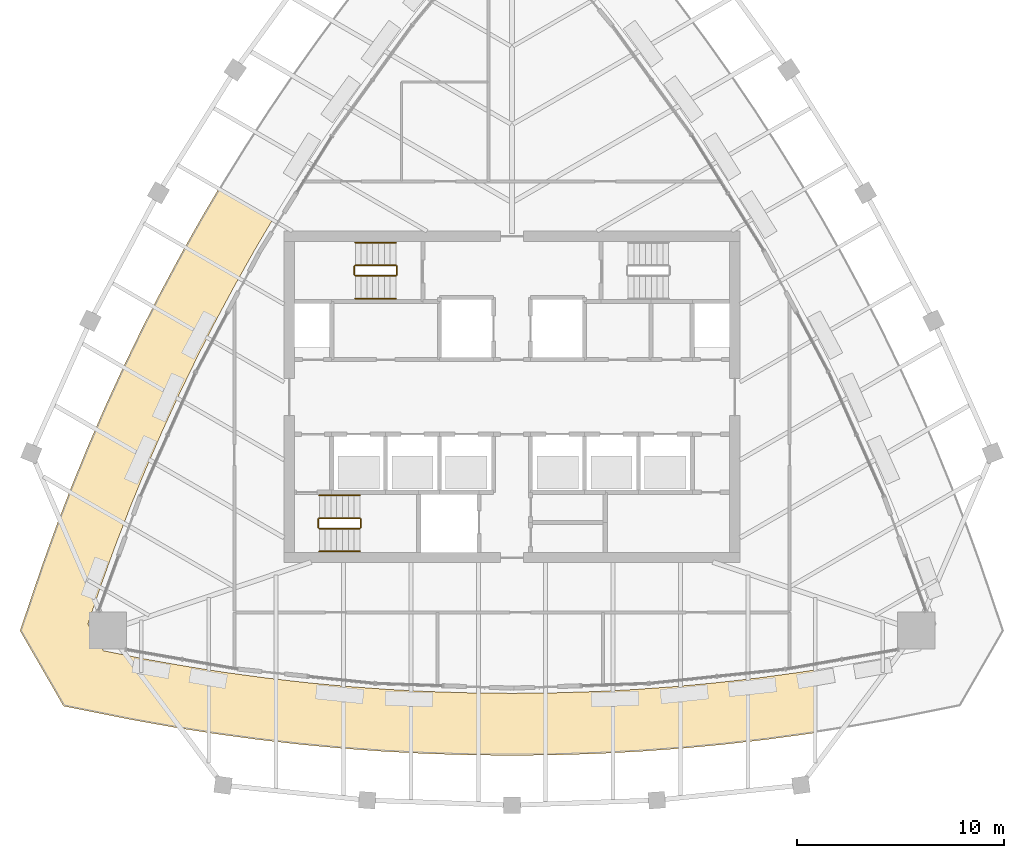
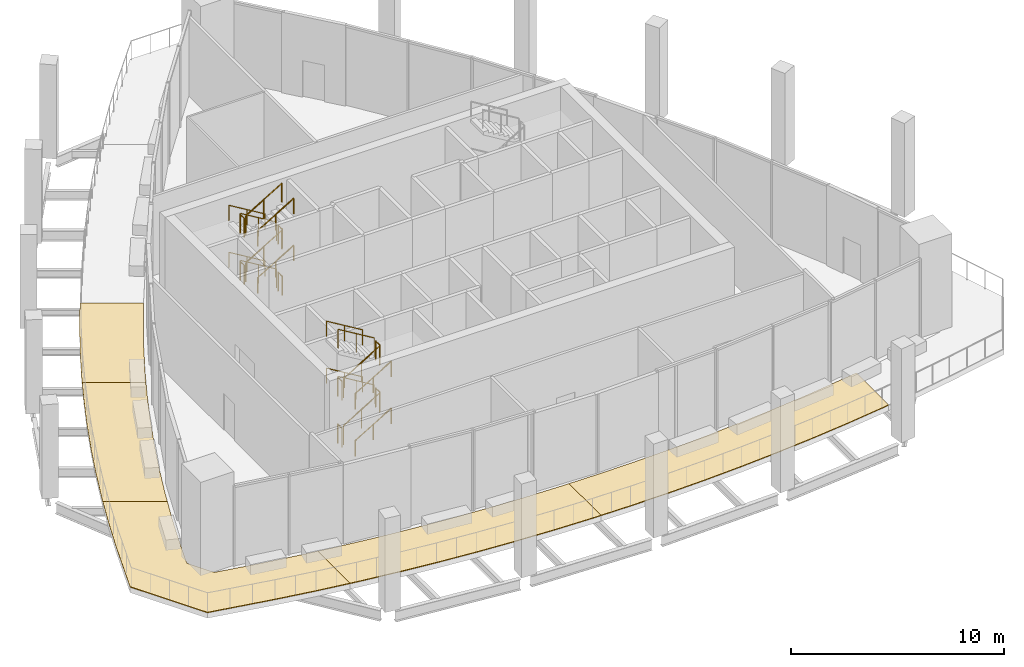
# One storey, part 11 of 14: 24 railings, 5 coverings.
"""IFC4 building model written with IfcOpenShell, lengths in metres."""

from ifc_helpers import new_model, si_unit, direction, frame, origin, origin_2d, place, context, subcontext, project, spatial, polyline, circle, outline, extrude, material, layer, layer_set, type_object, element, save


model = new_model("IFC4")

# Units and contexts
model_context = context("Model", 3, precision=1e-05, world=origin(), true_north=direction((0.0, 1.0)))
body_context = subcontext(model_context, "Body", "Model", "MODEL_VIEW")
ifc_project = project(units=[si_unit("LENGTHUNIT", "METRE"), si_unit("AREAUNIT", "SQUARE_METRE"), si_unit("VOLUMEUNIT", "CUBIC_METRE"), si_unit("PLANEANGLEUNIT", "RADIAN"), si_unit("MASSUNIT", "GRAM", prefix="KILO")], contexts=[model_context])

# Site, building, storey
site_placement = place(None, origin())
site = spatial("IfcSite", under=ifc_project, at=site_placement, CompositionType="ELEMENT")
building_placement = place(site_placement, origin())
building = spatial("IfcBuilding", under=site, at=building_placement, Name="Sierra Prisma Convention Tower", CompositionType="ELEMENT")
storey_placement = place(building_placement, frame((0.0, 0.0, 339.39990234375)))
storey = spatial("IfcBuildingStorey", under=building, at=storey_placement, Name="L76", CompositionType="ELEMENT", Elevation=339.39990234375)

# Coverings
ifc_material_1 = material(Name="Porcelain stoneware paving", Category="masonry")
ifc_layer = layer(ifc_material_1, 0.0400390625)
ifc_layer_set = layer_set([ifc_layer], Name="Deck paving")
covering_type = type_object("IfcCoveringType", Name="Deck paving", PredefinedType="FLOORING", material=ifc_layer_set)
covering_1_placement = place(storey_placement, origin())
element("IfcCovering", 1, at=covering_1_placement, inside=storey, type_object=covering_type, Name="Deck paving L76", PredefinedType="FLOORING", context=body_context, shape_type="SweptSolid", body=[
    extrude(outline(polyline([(-20.44970703125, -2.349365234375), (-20.0986328125, -1.5400390625), (-19.63427734375, -0.47021484375), (-18.7802734375, 1.391845703125), (-18.756591796875, 1.4404296875), (-17.887451171875, 3.235595703125), (-17.312744140625, 4.3623046875), (-14.711181640625, 2.8603515625), (-15.200927734375, 1.900146484375), (-16.06640625, 0.112548828125), (-16.14794921875, -0.0654296875), (-16.894775390625, -1.69287109375), (-17.4833984375, -3.0498046875), (-17.685302734375, -3.514892578125), (-18.437744140625, -5.35302734375), (-18.721923828125, -6.09033203125), (-21.351806640625, -4.57177734375), (-21.225830078125, -4.2451171875), (-20.44970703125, -2.349365234375)])), origin(), (0.0, 0.0, 1.0), 0.0400390625),
])
covering_2_placement = place(storey_placement, origin())
element("IfcCovering", 2, at=covering_2_placement, inside=storey, type_object=covering_type, Name="Deck paving L76", PredefinedType="FLOORING", context=body_context, shape_type="SweptSolid", body=[
    extrude(outline(polyline([(-22.659423828125, -8.0830078125), (-21.962646484375, -6.15673828125), (-21.351806640625, -4.57177734375), (-18.721923828125, -6.09033203125), (-19.152099609375, -7.206298828125), (-19.82763671875, -9.07421875), (-19.865234375, -9.185546875), (-20.46435546875, -10.95556640625), (-19.719970703125, -12.244873046875), (-17.8876953125, -12.611083984375), (-17.772216796875, -12.634033203125), (-15.81689453125, -12.98291015625), (-14.63525390625, -13.16845703125), (-14.63525390625, -16.205322265625), (-16.313232421875, -15.94189453125), (-18.329833984375, -15.58203125), (-21.63916015625, -14.92041015625), (-23.7412109375, -11.27978515625), (-22.659423828125, -8.0830078125)])), origin(), (0.0, 0.0, 1.0), 0.0400390625),
])
covering_3_placement = place(storey_placement, origin())
element("IfcCovering", 3, at=covering_3_placement, inside=storey, type_object=covering_type, Name="Deck paving L76", PredefinedType="FLOORING", context=body_context, shape_type="SweptSolid", body=[
    extrude(outline(polyline([(-4.095947265625, -17.215087890625), (-4.87841796875, -17.17431640625), (-6.1416015625, -17.108642578125), (-8.130615234375, -16.9638671875), (-8.184814453125, -16.9599609375), (-10.224365234375, -16.768798828125), (-11.383056640625, -16.635986328125), (-12.259521484375, -16.535400390625), (-14.289306640625, -16.259521484375), (-14.63525390625, -16.205322265625), (-14.63525390625, -13.16845703125), (-13.854736328125, -13.291015625), (-11.88671875, -13.558349609375), (-11.383056640625, -13.6162109375), (-9.913330078125, -13.784912109375), (-8.130615234375, -13.951904296875), (-7.935791015625, -13.97021484375), (-5.954833984375, -14.114501953125), (-4.87841796875, -14.17041015625), (-3.971435546875, -14.217529296875), (-1.986083984375, -14.279296875), (-1.626220703125, -14.283203125), (-1.626220703125, -17.283203125), (-2.04833984375, -17.27880859375), (-4.095947265625, -17.215087890625)])), origin(), (0.0, 0.0, 1.0), 0.0400390625),
])
covering_4_placement = place(storey_placement, origin())
element("IfcCovering", 4, at=covering_4_placement, inside=storey, type_object=covering_type, Name="Deck paving L76", PredefinedType="FLOORING", context=body_context, shape_type="SweptSolid", body=[
    extrude(outline(polyline([(-1.626220703125, -17.283203125), (-1.626220703125, -14.283203125), (0.0, -14.300048828125), (1.626220703125, -14.283203125), (1.986083984375, -14.279296875), (3.971435546875, -14.217529296875), (4.87841796875, -14.17041015625), (5.954833984375, -14.114501953125), (7.935791015625, -13.97021484375), (8.130615234375, -13.951904296875), (9.913330078125, -13.784912109375), (11.383056640625, -13.6162109375), (11.88671875, -13.558349609375), (13.854736328125, -13.291015625), (14.63525390625, -13.16845703125), (14.63525390625, -16.205322265625), (14.289306640625, -16.259521484375), (12.259521484375, -16.535400390625), (11.383056640625, -16.635986328125), (10.224365234375, -16.768798828125), (8.184814453125, -16.9599609375), (8.130615234375, -16.9638671875), (6.1416015625, -17.108642578125), (4.87841796875, -17.17431640625), (4.095947265625, -17.215087890625), (2.04833984375, -17.27880859375), (1.626220703125, -17.283203125), (0.0, -17.300048828125), (-1.626220703125, -17.283203125)])), origin(), (0.0, 0.0, 1.0), 0.0400390625),
])
covering_5_placement = place(storey_placement, origin())
element("IfcCovering", 5, at=covering_5_placement, inside=storey, type_object=covering_type, Name="Deck paving L76", PredefinedType="FLOORING", context=body_context, shape_type="SweptSolid", body=[
    extrude(outline(polyline([(-16.95654296875, 5.060302734375), (-15.98828125, 6.865478515625), (-15.78076171875, 7.2333984375), (-14.982421875, 8.650146484375), (-14.15478515625, 10.0498046875), (-11.556396484375, 8.5498046875), (-12.38427734375, 7.14990234375), (-13.1826171875, 5.733154296875), (-13.359375, 5.419677734375), (-14.29833984375, 3.66943359375), (-14.711181640625, 2.8603515625), (-17.312744140625, 4.3623046875), (-16.95654296875, 5.060302734375)])), origin(), (0.0, 0.0, 1.0), 0.0400390625),
])

# Railings
ifc_material_2 = material(Name="Stainless steel", Category="steel")
railing_type_1 = type_object("IfcRailingType", Name="Exit stair handrail", PredefinedType="HANDRAIL", material=ifc_material_2)
railing_1_placement = place(storey_placement, frame((-9.300048828125, -7.449951171875, 0.1689453125)))
element("IfcRailing", 6, at=railing_1_placement, inside=storey, type_object=railing_type_1, Name="L76 S1 stair handrail 1", PredefinedType="HANDRAIL", context=body_context, shape_type="SweptSolid", body=[
    extrude(circle(Radius=0.02392578125, at=origin_2d()), frame((0.0, 0.0, 0.8759765625), z_axis=(0.856493463811, 0.0, 0.516157869696), x_axis=(0.0, 1.0, 0.0)), (0.0, 0.0, 1.0), 2.288330078125),
    extrude(circle(Radius=0.02099609375, at=origin_2d()), origin(), (0.0, 0.0, 1.0), 0.851806640625),
    extrude(circle(Radius=0.02099609375, at=origin_2d()), frame((0.97998046875, 0.0, 0.590576171875)), (0.0, 0.0, 1.0), 0.851806640625),
    extrude(circle(Radius=0.02099609375, at=origin_2d()), frame((1.9599609375, 0.0, 1.18115234375)), (0.0, 0.0, 1.0), 0.851806640625),
])
railing_2_placement = place(storey_placement, frame((-7.340087890625, -4.75, 1.518798828125)))
element("IfcRailing", 7, at=railing_2_placement, inside=storey, type_object=railing_type_1, Name="L76 S1 stair handrail 2", PredefinedType="HANDRAIL", context=body_context, shape_type="SweptSolid", body=[
    extrude(circle(Radius=0.02392578125, at=origin_2d()), frame((0.0, 0.0, 0.8759765625), z_axis=(-0.856446297458, 0.0, 0.516236127728), x_axis=(0.0, -1.0, 0.0)), (0.0, 0.0, 1.0), 2.28857421875),
    extrude(circle(Radius=0.02099609375, at=origin_2d()), origin(), (0.0, 0.0, 1.0), 0.851806640625),
    extrude(circle(Radius=0.02099609375, at=origin_2d()), frame((-0.97998046875, 0.0, 0.5908203125)), (0.0, 0.0, 1.0), 0.851806640625),
    extrude(circle(Radius=0.02099609375, at=origin_2d()), frame((-1.9599609375, 0.0, 1.181396484375)), (0.0, 0.0, 1.0), 0.851806640625),
])
railing_3_placement = place(storey_placement, frame((-9.300048828125, -7.449951171875, 2.868896484375)))
element("IfcRailing", 8, at=railing_3_placement, inside=storey, type_object=railing_type_1, Name="L76 S1 stair handrail 3", PredefinedType="HANDRAIL", context=body_context, shape_type="SweptSolid", body=[
    extrude(circle(Radius=0.02392578125, at=origin_2d()), frame((0.0, 0.0, 0.8759765625), z_axis=(0.856493463811, 0.0, 0.516157869696), x_axis=(0.0, 1.0, 0.0)), (0.0, 0.0, 1.0), 2.288330078125),
    extrude(circle(Radius=0.02099609375, at=origin_2d()), origin(), (0.0, 0.0, 1.0), 0.851806640625),
    extrude(circle(Radius=0.02099609375, at=origin_2d()), frame((0.97998046875, 0.0, 0.590576171875)), (0.0, 0.0, 1.0), 0.851806640625),
    extrude(circle(Radius=0.02099609375, at=origin_2d()), frame((1.9599609375, 0.0, 1.18115234375)), (0.0, 0.0, 1.0), 0.851806640625),
])
railing_4_placement = place(storey_placement, frame((-7.340087890625, -4.75, 4.21875)))
element("IfcRailing", 9, at=railing_4_placement, inside=storey, type_object=railing_type_1, Name="L76 S1 stair handrail 4", PredefinedType="HANDRAIL", context=body_context, shape_type="SweptSolid", body=[
    extrude(circle(Radius=0.02392578125, at=origin_2d()), frame((0.0, 0.0, 0.8759765625), z_axis=(-0.856446297458, 0.0, 0.516236127728), x_axis=(0.0, -1.0, 0.0)), (0.0, 0.0, 1.0), 2.28857421875),
    extrude(circle(Radius=0.02099609375, at=origin_2d()), origin(), (0.0, 0.0, 1.0), 0.851806640625),
    extrude(circle(Radius=0.02099609375, at=origin_2d()), frame((-0.97998046875, 0.0, 0.5908203125)), (0.0, 0.0, 1.0), 0.851806640625),
    extrude(circle(Radius=0.02099609375, at=origin_2d()), frame((-1.9599609375, 0.0, 1.181396484375)), (0.0, 0.0, 1.0), 0.851806640625),
])
railing_5_placement = place(storey_placement, frame((-5.60009765625, 7.449951171875, 0.1689453125)))
element("IfcRailing", 10, at=railing_5_placement, inside=storey, type_object=railing_type_1, Name="L76 S3 stair handrail 1", PredefinedType="HANDRAIL", context=body_context, shape_type="SweptSolid", body=[
    extrude(circle(Radius=0.02392578125, at=origin_2d()), frame((0.0, 0.0, 0.8759765625), z_axis=(-0.856493463811, 0.0, 0.516157869696), x_axis=(0.0, -1.0, 0.0)), (0.0, 0.0, 1.0), 2.288330078125),
    extrude(circle(Radius=0.02099609375, at=origin_2d()), origin(), (0.0, 0.0, 1.0), 0.851806640625),
    extrude(circle(Radius=0.02099609375, at=origin_2d()), frame((-0.97998046875, 0.0, 0.590576171875)), (0.0, 0.0, 1.0), 0.851806640625),
    extrude(circle(Radius=0.02099609375, at=origin_2d()), frame((-1.9599609375, 0.0, 1.18115234375)), (0.0, 0.0, 1.0), 0.851806640625),
])
railing_6_placement = place(storey_placement, frame((-7.56005859375, 4.75, 1.518798828125)))
element("IfcRailing", 11, at=railing_6_placement, inside=storey, type_object=railing_type_1, Name="L76 S3 stair handrail 2", PredefinedType="HANDRAIL", context=body_context, shape_type="SweptSolid", body=[
    extrude(circle(Radius=0.02392578125, at=origin_2d()), frame((0.0, 0.0, 0.8759765625), z_axis=(0.856446297458, 0.0, 0.516236127728), x_axis=(0.0, 1.0, 0.0)), (0.0, 0.0, 1.0), 2.28857421875),
    extrude(circle(Radius=0.02099609375, at=origin_2d()), origin(), (0.0, 0.0, 1.0), 0.851806640625),
    extrude(circle(Radius=0.02099609375, at=origin_2d()), frame((0.97998046875, 0.0, 0.5908203125)), (0.0, 0.0, 1.0), 0.851806640625),
    extrude(circle(Radius=0.02099609375, at=origin_2d()), frame((1.9599609375, 0.0, 1.181396484375)), (0.0, 0.0, 1.0), 0.851806640625),
])
railing_7_placement = place(storey_placement, frame((-5.60009765625, 7.449951171875, 2.868896484375)))
element("IfcRailing", 12, at=railing_7_placement, inside=storey, type_object=railing_type_1, Name="L76 S3 stair handrail 3", PredefinedType="HANDRAIL", context=body_context, shape_type="SweptSolid", body=[
    extrude(circle(Radius=0.02392578125, at=origin_2d()), frame((0.0, 0.0, 0.8759765625), z_axis=(-0.856493463811, 0.0, 0.516157869696), x_axis=(0.0, -1.0, 0.0)), (0.0, 0.0, 1.0), 2.288330078125),
    extrude(circle(Radius=0.02099609375, at=origin_2d()), origin(), (0.0, 0.0, 1.0), 0.851806640625),
    extrude(circle(Radius=0.02099609375, at=origin_2d()), frame((-0.97998046875, 0.0, 0.590576171875)), (0.0, 0.0, 1.0), 0.851806640625),
    extrude(circle(Radius=0.02099609375, at=origin_2d()), frame((-1.9599609375, 0.0, 1.18115234375)), (0.0, 0.0, 1.0), 0.851806640625),
])
railing_8_placement = place(storey_placement, frame((-7.56005859375, 4.75, 4.21875)))
element("IfcRailing", 13, at=railing_8_placement, inside=storey, type_object=railing_type_1, Name="L76 S3 stair handrail 4", PredefinedType="HANDRAIL", context=body_context, shape_type="SweptSolid", body=[
    extrude(circle(Radius=0.02392578125, at=origin_2d()), frame((0.0, 0.0, 0.8759765625), z_axis=(0.856446297458, 0.0, 0.516236127728), x_axis=(0.0, 1.0, 0.0)), (0.0, 0.0, 1.0), 2.28857421875),
    extrude(circle(Radius=0.02099609375, at=origin_2d()), origin(), (0.0, 0.0, 1.0), 0.851806640625),
    extrude(circle(Radius=0.02099609375, at=origin_2d()), frame((0.97998046875, 0.0, 0.5908203125)), (0.0, 0.0, 1.0), 0.851806640625),
    extrude(circle(Radius=0.02099609375, at=origin_2d()), frame((1.9599609375, 0.0, 1.181396484375)), (0.0, 0.0, 1.0), 0.851806640625),
])
ifc_material_3 = material(Name="Stainless steel", Category="steel")
railing_type_2 = type_object("IfcRailingType", Name="Stair guard 1100", PredefinedType="GUARDRAIL", material=ifc_material_3)
railing_9_placement = place(storey_placement, frame((-9.300048828125, -6.35009765625, 0.1689453125)))
element("IfcRailing", 14, at=railing_9_placement, inside=storey, type_object=railing_type_2, Name="L76 S1 stair guard 1", PredefinedType="GUARDRAIL", context=body_context, shape_type="SweptSolid", body=[
    extrude(circle(Radius=0.02392578125, at=origin_2d()), frame((0.0, 0.0, 1.076171875), z_axis=(0.856493463811, 0.0, 0.516157869696), x_axis=(0.0, 1.0, 0.0)), (0.0, 0.0, 1.0), 2.288330078125),
    extrude(circle(Radius=0.02099609375, at=origin_2d()), origin(), (0.0, 0.0, 1.0), 1.052001953125),
    extrude(circle(Radius=0.02099609375, at=origin_2d()), frame((0.97998046875, 0.0, 0.590576171875)), (0.0, 0.0, 1.0), 1.052001953125),
    extrude(circle(Radius=0.02099609375, at=origin_2d()), frame((1.9599609375, 0.0, 1.18115234375)), (0.0, 0.0, 1.0), 1.052001953125),
])
railing_10_placement = place(storey_placement, frame((-7.2900390625, -6.300048828125, 1.35009765625)))
element("IfcRailing", 15, at=railing_10_placement, inside=storey, type_object=railing_type_2, Name="L76 S1 stair guard 2", PredefinedType="GUARDRAIL", context=body_context, shape_type="SweptSolid", body=[
    extrude(circle(Radius=0.02392578125, at=origin_2d()), frame((0.0, 0.0, 1.076171875), z_axis=(0.0, 1.0, 0.0), x_axis=(-1.0, 0.0, 0.0)), (0.0, 0.0, 1.0), 0.400146484375),
    extrude(circle(Radius=0.02099609375, at=origin_2d()), origin(), (0.0, 0.0, 1.0), 1.052001953125),
    extrude(circle(Radius=0.02099609375, at=origin_2d()), frame((0.0, 0.400146484375, 0.0)), (0.0, 0.0, 1.0), 1.052001953125),
])
railing_11_placement = place(storey_placement, frame((-7.340087890625, -5.85009765625, 1.518798828125)))
element("IfcRailing", 16, at=railing_11_placement, inside=storey, type_object=railing_type_2, Name="L76 S1 stair guard 3", PredefinedType="GUARDRAIL", context=body_context, shape_type="SweptSolid", body=[
    extrude(circle(Radius=0.02392578125, at=origin_2d()), frame((0.0, 0.0, 1.076171875), z_axis=(-0.856446297458, 0.0, 0.516236127728), x_axis=(0.0, -1.0, 0.0)), (0.0, 0.0, 1.0), 2.28857421875),
    extrude(circle(Radius=0.02099609375, at=origin_2d()), origin(), (0.0, 0.0, 1.0), 1.052001953125),
    extrude(circle(Radius=0.02099609375, at=origin_2d()), frame((-0.97998046875, 0.0, 0.5908203125)), (0.0, 0.0, 1.0), 1.052001953125),
    extrude(circle(Radius=0.02099609375, at=origin_2d()), frame((-1.9599609375, 0.0, 1.181396484375)), (0.0, 0.0, 1.0), 1.052001953125),
])
railing_12_placement = place(storey_placement, frame((-9.35009765625, -6.300048828125, 2.7001953125)))
element("IfcRailing", 17, at=railing_12_placement, inside=storey, type_object=railing_type_2, Name="L76 S1 stair guard 4", PredefinedType="GUARDRAIL", context=body_context, shape_type="SweptSolid", body=[
    extrude(circle(Radius=0.02392578125, at=origin_2d()), frame((0.0, 0.0, 1.076171875), z_axis=(0.0, 1.0, 0.0), x_axis=(-1.0, 0.0, 0.0)), (0.0, 0.0, 1.0), 0.400146484375),
    extrude(circle(Radius=0.02099609375, at=origin_2d()), origin(), (0.0, 0.0, 1.0), 1.052001953125),
    extrude(circle(Radius=0.02099609375, at=origin_2d()), frame((0.0, 0.400146484375, 0.0)), (0.0, 0.0, 1.0), 1.052001953125),
])
railing_13_placement = place(storey_placement, frame((-9.300048828125, -6.35009765625, 2.868896484375)))
element("IfcRailing", 18, at=railing_13_placement, inside=storey, type_object=railing_type_2, Name="L76 S1 stair guard 5", PredefinedType="GUARDRAIL", context=body_context, shape_type="SweptSolid", body=[
    extrude(circle(Radius=0.02392578125, at=origin_2d()), frame((0.0, 0.0, 1.076171875), z_axis=(0.856493463811, 0.0, 0.516157869696), x_axis=(0.0, 1.0, 0.0)), (0.0, 0.0, 1.0), 2.288330078125),
    extrude(circle(Radius=0.02099609375, at=origin_2d()), origin(), (0.0, 0.0, 1.0), 1.052001953125),
    extrude(circle(Radius=0.02099609375, at=origin_2d()), frame((0.97998046875, 0.0, 0.590576171875)), (0.0, 0.0, 1.0), 1.052001953125),
    extrude(circle(Radius=0.02099609375, at=origin_2d()), frame((1.9599609375, 0.0, 1.18115234375)), (0.0, 0.0, 1.0), 1.052001953125),
])
railing_14_placement = place(storey_placement, frame((-7.2900390625, -6.300048828125, 4.050048828125)))
element("IfcRailing", 19, at=railing_14_placement, inside=storey, type_object=railing_type_2, Name="L76 S1 stair guard 6", PredefinedType="GUARDRAIL", context=body_context, shape_type="SweptSolid", body=[
    extrude(circle(Radius=0.02392578125, at=origin_2d()), frame((0.0, 0.0, 1.076171875), z_axis=(0.0, 1.0, 0.0), x_axis=(-1.0, 0.0, 0.0)), (0.0, 0.0, 1.0), 0.400146484375),
    extrude(circle(Radius=0.02099609375, at=origin_2d()), origin(), (0.0, 0.0, 1.0), 1.052001953125),
    extrude(circle(Radius=0.02099609375, at=origin_2d()), frame((0.0, 0.400146484375, 0.0)), (0.0, 0.0, 1.0), 1.052001953125),
])
railing_15_placement = place(storey_placement, frame((-7.340087890625, -5.85009765625, 4.21875)))
element("IfcRailing", 20, at=railing_15_placement, inside=storey, type_object=railing_type_2, Name="L76 S1 stair guard 7", PredefinedType="GUARDRAIL", context=body_context, shape_type="SweptSolid", body=[
    extrude(circle(Radius=0.02392578125, at=origin_2d()), frame((0.0, 0.0, 1.076171875), z_axis=(-0.856446297458, 0.0, 0.516236127728), x_axis=(0.0, -1.0, 0.0)), (0.0, 0.0, 1.0), 2.28857421875),
    extrude(circle(Radius=0.02099609375, at=origin_2d()), origin(), (0.0, 0.0, 1.0), 1.052001953125),
    extrude(circle(Radius=0.02099609375, at=origin_2d()), frame((-0.97998046875, 0.0, 0.5908203125)), (0.0, 0.0, 1.0), 1.052001953125),
    extrude(circle(Radius=0.02099609375, at=origin_2d()), frame((-1.9599609375, 0.0, 1.181396484375)), (0.0, 0.0, 1.0), 1.052001953125),
])
railing_16_placement = place(storey_placement, frame((-9.35009765625, -6.300048828125, 0.0)))
element("IfcRailing", 21, at=railing_16_placement, inside=storey, type_object=railing_type_2, Name="L76 S1 stair guard 8", PredefinedType="GUARDRAIL", context=body_context, shape_type="SweptSolid", body=[
    extrude(circle(Radius=0.02392578125, at=origin_2d()), frame((0.0, 0.0, 1.076171875), z_axis=(0.0, 1.0, 0.0), x_axis=(-1.0, 0.0, 0.0)), (0.0, 0.0, 1.0), 0.400146484375),
    extrude(circle(Radius=0.02099609375, at=origin_2d()), origin(), (0.0, 0.0, 1.0), 1.052001953125),
    extrude(circle(Radius=0.02099609375, at=origin_2d()), frame((0.0, 0.400146484375, 0.0)), (0.0, 0.0, 1.0), 1.052001953125),
])
railing_17_placement = place(storey_placement, frame((-5.60009765625, 6.35009765625, 0.1689453125)))
element("IfcRailing", 22, at=railing_17_placement, inside=storey, type_object=railing_type_2, Name="L76 S3 stair guard 1", PredefinedType="GUARDRAIL", context=body_context, shape_type="SweptSolid", body=[
    extrude(circle(Radius=0.02392578125, at=origin_2d()), frame((0.0, 0.0, 1.076171875), z_axis=(-0.856493463811, 0.0, 0.516157869696), x_axis=(0.0, -1.0, 0.0)), (0.0, 0.0, 1.0), 2.288330078125),
    extrude(circle(Radius=0.02099609375, at=origin_2d()), origin(), (0.0, 0.0, 1.0), 1.052001953125),
    extrude(circle(Radius=0.02099609375, at=origin_2d()), frame((-0.97998046875, 0.0, 0.590576171875)), (0.0, 0.0, 1.0), 1.052001953125),
    extrude(circle(Radius=0.02099609375, at=origin_2d()), frame((-1.9599609375, 0.0, 1.18115234375)), (0.0, 0.0, 1.0), 1.052001953125),
])
railing_18_placement = place(storey_placement, frame((-7.610107421875, 6.300048828125, 1.35009765625)))
element("IfcRailing", 23, at=railing_18_placement, inside=storey, type_object=railing_type_2, Name="L76 S3 stair guard 2", PredefinedType="GUARDRAIL", context=body_context, shape_type="SweptSolid", body=[
    extrude(circle(Radius=0.02392578125, at=origin_2d()), frame((0.0, 0.0, 1.076171875), z_axis=(0.0, -1.0, 0.0), x_axis=(1.0, 0.0, 0.0)), (0.0, 0.0, 1.0), 0.400146484375),
    extrude(circle(Radius=0.02099609375, at=origin_2d()), origin(), (0.0, 0.0, 1.0), 1.052001953125),
    extrude(circle(Radius=0.02099609375, at=origin_2d()), frame((0.0, -0.400146484375, 0.0)), (0.0, 0.0, 1.0), 1.052001953125),
])
railing_19_placement = place(storey_placement, frame((-7.56005859375, 5.85009765625, 1.518798828125)))
element("IfcRailing", 24, at=railing_19_placement, inside=storey, type_object=railing_type_2, Name="L76 S3 stair guard 3", PredefinedType="GUARDRAIL", context=body_context, shape_type="SweptSolid", body=[
    extrude(circle(Radius=0.02392578125, at=origin_2d()), frame((0.0, 0.0, 1.076171875), z_axis=(0.856446297458, 0.0, 0.516236127728), x_axis=(0.0, 1.0, 0.0)), (0.0, 0.0, 1.0), 2.28857421875),
    extrude(circle(Radius=0.02099609375, at=origin_2d()), origin(), (0.0, 0.0, 1.0), 1.052001953125),
    extrude(circle(Radius=0.02099609375, at=origin_2d()), frame((0.97998046875, 0.0, 0.5908203125)), (0.0, 0.0, 1.0), 1.052001953125),
    extrude(circle(Radius=0.02099609375, at=origin_2d()), frame((1.9599609375, 0.0, 1.181396484375)), (0.0, 0.0, 1.0), 1.052001953125),
])
railing_20_placement = place(storey_placement, frame((-5.550048828125, 6.300048828125, 2.7001953125)))
element("IfcRailing", 25, at=railing_20_placement, inside=storey, type_object=railing_type_2, Name="L76 S3 stair guard 4", PredefinedType="GUARDRAIL", context=body_context, shape_type="SweptSolid", body=[
    extrude(circle(Radius=0.02392578125, at=origin_2d()), frame((0.0, 0.0, 1.076171875), z_axis=(0.0, -1.0, 0.0), x_axis=(1.0, 0.0, 0.0)), (0.0, 0.0, 1.0), 0.400146484375),
    extrude(circle(Radius=0.02099609375, at=origin_2d()), origin(), (0.0, 0.0, 1.0), 1.052001953125),
    extrude(circle(Radius=0.02099609375, at=origin_2d()), frame((0.0, -0.400146484375, 0.0)), (0.0, 0.0, 1.0), 1.052001953125),
])
railing_21_placement = place(storey_placement, frame((-5.60009765625, 6.35009765625, 2.868896484375)))
element("IfcRailing", 26, at=railing_21_placement, inside=storey, type_object=railing_type_2, Name="L76 S3 stair guard 5", PredefinedType="GUARDRAIL", context=body_context, shape_type="SweptSolid", body=[
    extrude(circle(Radius=0.02392578125, at=origin_2d()), frame((0.0, 0.0, 1.076171875), z_axis=(-0.856493463811, 0.0, 0.516157869696), x_axis=(0.0, -1.0, 0.0)), (0.0, 0.0, 1.0), 2.288330078125),
    extrude(circle(Radius=0.02099609375, at=origin_2d()), origin(), (0.0, 0.0, 1.0), 1.052001953125),
    extrude(circle(Radius=0.02099609375, at=origin_2d()), frame((-0.97998046875, 0.0, 0.590576171875)), (0.0, 0.0, 1.0), 1.052001953125),
    extrude(circle(Radius=0.02099609375, at=origin_2d()), frame((-1.9599609375, 0.0, 1.18115234375)), (0.0, 0.0, 1.0), 1.052001953125),
])
railing_22_placement = place(storey_placement, frame((-7.610107421875, 6.300048828125, 4.050048828125)))
element("IfcRailing", 27, at=railing_22_placement, inside=storey, type_object=railing_type_2, Name="L76 S3 stair guard 6", PredefinedType="GUARDRAIL", context=body_context, shape_type="SweptSolid", body=[
    extrude(circle(Radius=0.02392578125, at=origin_2d()), frame((0.0, 0.0, 1.076171875), z_axis=(0.0, -1.0, 0.0), x_axis=(1.0, 0.0, 0.0)), (0.0, 0.0, 1.0), 0.400146484375),
    extrude(circle(Radius=0.02099609375, at=origin_2d()), origin(), (0.0, 0.0, 1.0), 1.052001953125),
    extrude(circle(Radius=0.02099609375, at=origin_2d()), frame((0.0, -0.400146484375, 0.0)), (0.0, 0.0, 1.0), 1.052001953125),
])
railing_23_placement = place(storey_placement, frame((-7.56005859375, 5.85009765625, 4.21875)))
element("IfcRailing", 28, at=railing_23_placement, inside=storey, type_object=railing_type_2, Name="L76 S3 stair guard 7", PredefinedType="GUARDRAIL", context=body_context, shape_type="SweptSolid", body=[
    extrude(circle(Radius=0.02392578125, at=origin_2d()), frame((0.0, 0.0, 1.076171875), z_axis=(0.856446297458, 0.0, 0.516236127728), x_axis=(0.0, 1.0, 0.0)), (0.0, 0.0, 1.0), 2.28857421875),
    extrude(circle(Radius=0.02099609375, at=origin_2d()), origin(), (0.0, 0.0, 1.0), 1.052001953125),
    extrude(circle(Radius=0.02099609375, at=origin_2d()), frame((0.97998046875, 0.0, 0.5908203125)), (0.0, 0.0, 1.0), 1.052001953125),
    extrude(circle(Radius=0.02099609375, at=origin_2d()), frame((1.9599609375, 0.0, 1.181396484375)), (0.0, 0.0, 1.0), 1.052001953125),
])
railing_24_placement = place(storey_placement, frame((-5.550048828125, 6.300048828125, 0.0)))
element("IfcRailing", 29, at=railing_24_placement, inside=storey, type_object=railing_type_2, Name="L76 S3 stair guard 8", PredefinedType="GUARDRAIL", context=body_context, shape_type="SweptSolid", body=[
    extrude(circle(Radius=0.02392578125, at=origin_2d()), frame((0.0, 0.0, 1.076171875), z_axis=(0.0, -1.0, 0.0), x_axis=(1.0, 0.0, 0.0)), (0.0, 0.0, 1.0), 0.400146484375),
    extrude(circle(Radius=0.02099609375, at=origin_2d()), origin(), (0.0, 0.0, 1.0), 1.052001953125),
    extrude(circle(Radius=0.02099609375, at=origin_2d()), frame((0.0, -0.400146484375, 0.0)), (0.0, 0.0, 1.0), 1.052001953125),
])

save(model, "model.ifc")
